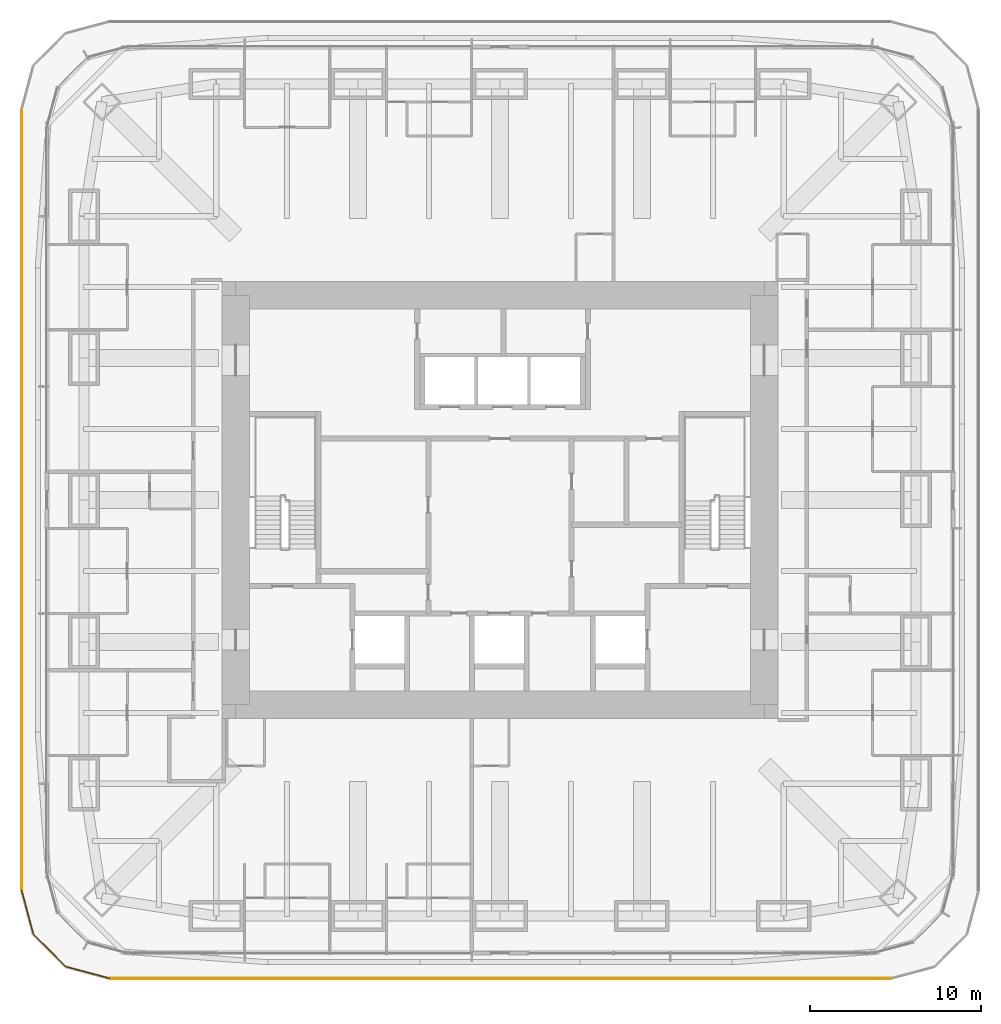
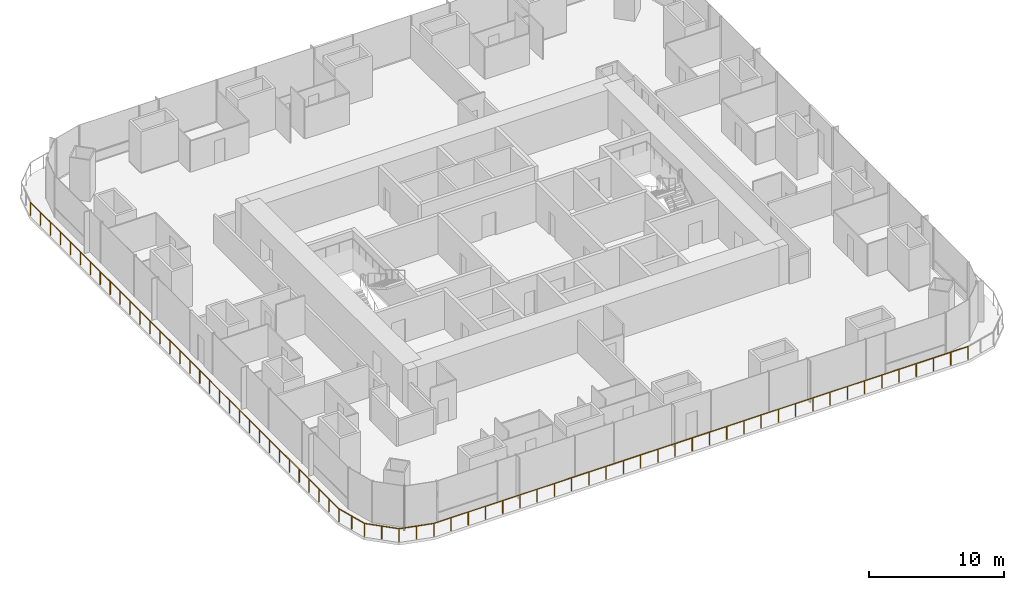
# One storey, part 12 of 15: 3 railings.
"""IFC4 building model written with IfcOpenShell, lengths in metres."""

from ifc_helpers import new_model, si_unit, direction, frame, origin, origin_2d, place, context, subcontext, project, spatial, circle, extrude, material, type_object, element, save


model = new_model("IFC4")

# Units and contexts
model_context = context("Model", 3, precision=1e-05, world=origin(), true_north=direction((0.0, 1.0)))
body_context = subcontext(model_context, "Body", "Model", "MODEL_VIEW")
ifc_project = project(units=[si_unit("LENGTHUNIT", "METRE"), si_unit("AREAUNIT", "SQUARE_METRE"), si_unit("VOLUMEUNIT", "CUBIC_METRE"), si_unit("PLANEANGLEUNIT", "RADIAN"), si_unit("MASSUNIT", "GRAM", prefix="KILO")], contexts=[model_context])

# Site, building, storey
site_placement = place(None, origin())
site = spatial("IfcSite", under=ifc_project, at=site_placement, CompositionType="ELEMENT")
building_placement = place(site_placement, origin())
building = spatial("IfcBuilding", under=site, at=building_placement, Name="Khuree Lantern Residences", CompositionType="ELEMENT")
storey_placement = place(building_placement, frame((0.0, 0.0, 199.5)))
storey = spatial("IfcBuildingStorey", under=building, at=storey_placement, Name="L49", CompositionType="ELEMENT", Elevation=199.5)

# Railings
ifc_material = material(Name="Toughened laminated glass balustrade with bronze anodised aluminium top rail", Category="aluminium")
railing_type = type_object("IfcRailingType", Name="TERRACE GUARD G1 1200", PredefinedType="GUARDRAIL", material=ifc_material)
railing_1_placement = place(storey_placement, frame((-28.050048828125, 22.89990234375, 0.0)))
element("IfcRailing", 1, at=railing_1_placement, inside=storey, type_object=railing_type, Name="L49 WEST FACE TERRACE GUARD", PredefinedType="GUARDRAIL", context=body_context, shape_type="SweptSolid", body=[
    extrude(circle(Radius=0.02392578125, at=origin_2d()), frame((0.0, 0.0, 1.17626953125), z_axis=(0.0, -1.0, 0.0), x_axis=(1.0, 0.0, 0.0)), (0.0, 0.0, 1.0), 45.7998046875),
    extrude(circle(Radius=0.02099609375, at=origin_2d()), origin(), (0.0, 0.0, 1.0), 1.152099609375),
    extrude(circle(Radius=0.02099609375, at=origin_2d()), frame((0.0, -1.477294921875, 0.0)), (0.0, 0.0, 1.0), 1.152099609375),
    extrude(circle(Radius=0.02099609375, at=origin_2d()), frame((0.0, -2.954833984375, 0.0)), (0.0, 0.0, 1.0), 1.152099609375),
    extrude(circle(Radius=0.02099609375, at=origin_2d()), frame((0.0, -4.43212890625, 0.0)), (0.0, 0.0, 1.0), 1.152099609375),
    extrude(circle(Radius=0.02099609375, at=origin_2d()), frame((0.0, -5.90966796875, 0.0)), (0.0, 0.0, 1.0), 1.152099609375),
    extrude(circle(Radius=0.02099609375, at=origin_2d()), frame((0.0, -7.386962890625, 0.0)), (0.0, 0.0, 1.0), 1.152099609375),
    extrude(circle(Radius=0.02099609375, at=origin_2d()), frame((0.0, -8.864501953125, 0.0)), (0.0, 0.0, 1.0), 1.152099609375),
    extrude(circle(Radius=0.02099609375, at=origin_2d()), frame((0.0, -10.341796875, 0.0)), (0.0, 0.0, 1.0), 1.152099609375),
    extrude(circle(Radius=0.02099609375, at=origin_2d()), frame((0.0, -11.8193359375, 0.0)), (0.0, 0.0, 1.0), 1.152099609375),
    extrude(circle(Radius=0.02099609375, at=origin_2d()), frame((0.0, -13.296630859375, 0.0)), (0.0, 0.0, 1.0), 1.152099609375),
    extrude(circle(Radius=0.02099609375, at=origin_2d()), frame((0.0, -14.774169921875, 0.0)), (0.0, 0.0, 1.0), 1.152099609375),
    extrude(circle(Radius=0.02099609375, at=origin_2d()), frame((0.0, -16.25146484375, 0.0)), (0.0, 0.0, 1.0), 1.152099609375),
    extrude(circle(Radius=0.02099609375, at=origin_2d()), frame((0.0, -17.72900390625, 0.0)), (0.0, 0.0, 1.0), 1.152099609375),
    extrude(circle(Radius=0.02099609375, at=origin_2d()), frame((0.0, -19.206298828125, 0.0)), (0.0, 0.0, 1.0), 1.152099609375),
    extrude(circle(Radius=0.02099609375, at=origin_2d()), frame((0.0, -20.683837890625, 0.0)), (0.0, 0.0, 1.0), 1.152099609375),
    extrude(circle(Radius=0.02099609375, at=origin_2d()), frame((0.0, -22.1611328125, 0.0)), (0.0, 0.0, 1.0), 1.152099609375),
    extrude(circle(Radius=0.02099609375, at=origin_2d()), frame((0.0, -23.638671875, 0.0)), (0.0, 0.0, 1.0), 1.152099609375),
    extrude(circle(Radius=0.02099609375, at=origin_2d()), frame((0.0, -25.115966796875, 0.0)), (0.0, 0.0, 1.0), 1.152099609375),
    extrude(circle(Radius=0.02099609375, at=origin_2d()), frame((0.0, -26.593505859375, 0.0)), (0.0, 0.0, 1.0), 1.152099609375),
    extrude(circle(Radius=0.02099609375, at=origin_2d()), frame((0.0, -28.07080078125, 0.0)), (0.0, 0.0, 1.0), 1.152099609375),
    extrude(circle(Radius=0.02099609375, at=origin_2d()), frame((0.0, -29.54833984375, 0.0)), (0.0, 0.0, 1.0), 1.152099609375),
    extrude(circle(Radius=0.02099609375, at=origin_2d()), frame((0.0, -31.025634765625, 0.0)), (0.0, 0.0, 1.0), 1.152099609375),
    extrude(circle(Radius=0.02099609375, at=origin_2d()), frame((0.0, -32.503173828125, 0.0)), (0.0, 0.0, 1.0), 1.152099609375),
    extrude(circle(Radius=0.02099609375, at=origin_2d()), frame((0.0, -33.98046875, 0.0)), (0.0, 0.0, 1.0), 1.152099609375),
    extrude(circle(Radius=0.02099609375, at=origin_2d()), frame((0.0, -35.4580078125, 0.0)), (0.0, 0.0, 1.0), 1.152099609375),
    extrude(circle(Radius=0.02099609375, at=origin_2d()), frame((0.0, -36.935302734375, 0.0)), (0.0, 0.0, 1.0), 1.152099609375),
    extrude(circle(Radius=0.02099609375, at=origin_2d()), frame((0.0, -38.412841796875, 0.0)), (0.0, 0.0, 1.0), 1.152099609375),
    extrude(circle(Radius=0.02099609375, at=origin_2d()), frame((0.0, -39.89013671875, 0.0)), (0.0, 0.0, 1.0), 1.152099609375),
    extrude(circle(Radius=0.02099609375, at=origin_2d()), frame((0.0, -41.36767578125, 0.0)), (0.0, 0.0, 1.0), 1.152099609375),
    extrude(circle(Radius=0.02099609375, at=origin_2d()), frame((0.0, -42.844970703125, 0.0)), (0.0, 0.0, 1.0), 1.152099609375),
    extrude(circle(Radius=0.02099609375, at=origin_2d()), frame((0.0, -44.322509765625, 0.0)), (0.0, 0.0, 1.0), 1.152099609375),
    extrude(circle(Radius=0.02099609375, at=origin_2d()), frame((0.0, -45.7998046875, 0.0)), (0.0, 0.0, 1.0), 1.152099609375),
])
railing_2_placement = place(storey_placement, frame((-28.050048828125, -22.89990234375, 0.0)))
element("IfcRailing", 2, at=railing_2_placement, inside=storey, type_object=railing_type, Name="L49 SOUTH-WEST CORNER TERRACE GUARD", PredefinedType="GUARDRAIL", context=body_context, shape_type="SweptSolid", body=[
    extrude(circle(Radius=0.02392578125, at=origin_2d()), frame((0.0, 0.0, 1.17626953125), z_axis=(0.258791013471, -0.965933336906, 0.0), x_axis=(0.965933336906, 0.258791013471, 0.0)), (0.0, 0.0, 1.0), 2.666015625),
    extrude(circle(Radius=0.02392578125, at=origin_2d()), frame((0.68994140625, -2.5751953125, 1.17626953125), z_axis=(0.707106781187, -0.707106781187, 0.0), x_axis=(0.707106781187, 0.707106781187, 0.0)), (0.0, 0.0, 1.0), 2.665771484375),
    extrude(circle(Radius=0.02392578125, at=origin_2d()), frame((2.574951171875, -4.460205078125, 1.17626953125), z_axis=(0.965933336906, -0.258791013471, 0.0), x_axis=(0.258791013471, 0.965933336906, 0.0)), (0.0, 0.0, 1.0), 2.666015625),
    extrude(circle(Radius=0.02099609375, at=origin_2d()), origin(), (0.0, 0.0, 1.0), 1.152099609375),
    extrude(circle(Radius=0.02099609375, at=origin_2d()), frame((0.344970703125, -1.28759765625, 0.0)), (0.0, 0.0, 1.0), 1.152099609375),
    extrude(circle(Radius=0.02099609375, at=origin_2d()), frame((0.68994140625, -2.5751953125, 0.0)), (0.0, 0.0, 1.0), 1.152099609375),
    extrude(circle(Radius=0.02099609375, at=origin_2d()), frame((1.63232421875, -3.517578125, 0.0)), (0.0, 0.0, 1.0), 1.152099609375),
    extrude(circle(Radius=0.02099609375, at=origin_2d()), frame((2.574951171875, -4.460205078125, 0.0)), (0.0, 0.0, 1.0), 1.152099609375),
    extrude(circle(Radius=0.02099609375, at=origin_2d()), frame((3.862548828125, -4.80517578125, 0.0)), (0.0, 0.0, 1.0), 1.152099609375),
    extrude(circle(Radius=0.02099609375, at=origin_2d()), frame((5.150146484375, -5.150146484375, 0.0)), (0.0, 0.0, 1.0), 1.152099609375),
])
railing_3_placement = place(storey_placement, frame((-22.89990234375, -28.050048828125, 0.0)))
element("IfcRailing", 3, at=railing_3_placement, inside=storey, type_object=railing_type, Name="L49 SOUTH FACE TERRACE GUARD", PredefinedType="GUARDRAIL", context=body_context, shape_type="SweptSolid", body=[
    extrude(circle(Radius=0.02392578125, at=origin_2d()), frame((0.0, 0.0, 1.17626953125), z_axis=(1.0, 0.0, 0.0), x_axis=(0.0, 1.0, 0.0)), (0.0, 0.0, 1.0), 45.7998046875),
    extrude(circle(Radius=0.02099609375, at=origin_2d()), origin(), (0.0, 0.0, 1.0), 1.152099609375),
    extrude(circle(Radius=0.02099609375, at=origin_2d()), frame((1.477294921875, 0.0, 0.0)), (0.0, 0.0, 1.0), 1.152099609375),
    extrude(circle(Radius=0.02099609375, at=origin_2d()), frame((2.954833984375, 0.0, 0.0)), (0.0, 0.0, 1.0), 1.152099609375),
    extrude(circle(Radius=0.02099609375, at=origin_2d()), frame((4.43212890625, 0.0, 0.0)), (0.0, 0.0, 1.0), 1.152099609375),
    extrude(circle(Radius=0.02099609375, at=origin_2d()), frame((5.90966796875, 0.0, 0.0)), (0.0, 0.0, 1.0), 1.152099609375),
    extrude(circle(Radius=0.02099609375, at=origin_2d()), frame((7.386962890625, 0.0, 0.0)), (0.0, 0.0, 1.0), 1.152099609375),
    extrude(circle(Radius=0.02099609375, at=origin_2d()), frame((8.864501953125, 0.0, 0.0)), (0.0, 0.0, 1.0), 1.152099609375),
    extrude(circle(Radius=0.02099609375, at=origin_2d()), frame((10.341796875, 0.0, 0.0)), (0.0, 0.0, 1.0), 1.152099609375),
    extrude(circle(Radius=0.02099609375, at=origin_2d()), frame((11.8193359375, 0.0, 0.0)), (0.0, 0.0, 1.0), 1.152099609375),
    extrude(circle(Radius=0.02099609375, at=origin_2d()), frame((13.296630859375, 0.0, 0.0)), (0.0, 0.0, 1.0), 1.152099609375),
    extrude(circle(Radius=0.02099609375, at=origin_2d()), frame((14.774169921875, 0.0, 0.0)), (0.0, 0.0, 1.0), 1.152099609375),
    extrude(circle(Radius=0.02099609375, at=origin_2d()), frame((16.25146484375, 0.0, 0.0)), (0.0, 0.0, 1.0), 1.152099609375),
    extrude(circle(Radius=0.02099609375, at=origin_2d()), frame((17.72900390625, 0.0, 0.0)), (0.0, 0.0, 1.0), 1.152099609375),
    extrude(circle(Radius=0.02099609375, at=origin_2d()), frame((19.206298828125, 0.0, 0.0)), (0.0, 0.0, 1.0), 1.152099609375),
    extrude(circle(Radius=0.02099609375, at=origin_2d()), frame((20.683837890625, 0.0, 0.0)), (0.0, 0.0, 1.0), 1.152099609375),
    extrude(circle(Radius=0.02099609375, at=origin_2d()), frame((22.1611328125, 0.0, 0.0)), (0.0, 0.0, 1.0), 1.152099609375),
    extrude(circle(Radius=0.02099609375, at=origin_2d()), frame((23.638671875, 0.0, 0.0)), (0.0, 0.0, 1.0), 1.152099609375),
    extrude(circle(Radius=0.02099609375, at=origin_2d()), frame((25.115966796875, 0.0, 0.0)), (0.0, 0.0, 1.0), 1.152099609375),
    extrude(circle(Radius=0.02099609375, at=origin_2d()), frame((26.593505859375, 0.0, 0.0)), (0.0, 0.0, 1.0), 1.152099609375),
    extrude(circle(Radius=0.02099609375, at=origin_2d()), frame((28.07080078125, 0.0, 0.0)), (0.0, 0.0, 1.0), 1.152099609375),
    extrude(circle(Radius=0.02099609375, at=origin_2d()), frame((29.54833984375, 0.0, 0.0)), (0.0, 0.0, 1.0), 1.152099609375),
    extrude(circle(Radius=0.02099609375, at=origin_2d()), frame((31.025634765625, 0.0, 0.0)), (0.0, 0.0, 1.0), 1.152099609375),
    extrude(circle(Radius=0.02099609375, at=origin_2d()), frame((32.503173828125, 0.0, 0.0)), (0.0, 0.0, 1.0), 1.152099609375),
    extrude(circle(Radius=0.02099609375, at=origin_2d()), frame((33.98046875, 0.0, 0.0)), (0.0, 0.0, 1.0), 1.152099609375),
    extrude(circle(Radius=0.02099609375, at=origin_2d()), frame((35.4580078125, 0.0, 0.0)), (0.0, 0.0, 1.0), 1.152099609375),
    extrude(circle(Radius=0.02099609375, at=origin_2d()), frame((36.935302734375, 0.0, 0.0)), (0.0, 0.0, 1.0), 1.152099609375),
    extrude(circle(Radius=0.02099609375, at=origin_2d()), frame((38.412841796875, 0.0, 0.0)), (0.0, 0.0, 1.0), 1.152099609375),
    extrude(circle(Radius=0.02099609375, at=origin_2d()), frame((39.89013671875, 0.0, 0.0)), (0.0, 0.0, 1.0), 1.152099609375),
    extrude(circle(Radius=0.02099609375, at=origin_2d()), frame((41.36767578125, 0.0, 0.0)), (0.0, 0.0, 1.0), 1.152099609375),
    extrude(circle(Radius=0.02099609375, at=origin_2d()), frame((42.844970703125, 0.0, 0.0)), (0.0, 0.0, 1.0), 1.152099609375),
    extrude(circle(Radius=0.02099609375, at=origin_2d()), frame((44.322509765625, 0.0, 0.0)), (0.0, 0.0, 1.0), 1.152099609375),
    extrude(circle(Radius=0.02099609375, at=origin_2d()), frame((45.7998046875, 0.0, 0.0)), (0.0, 0.0, 1.0), 1.152099609375),
])

save(model, "model.ifc")
